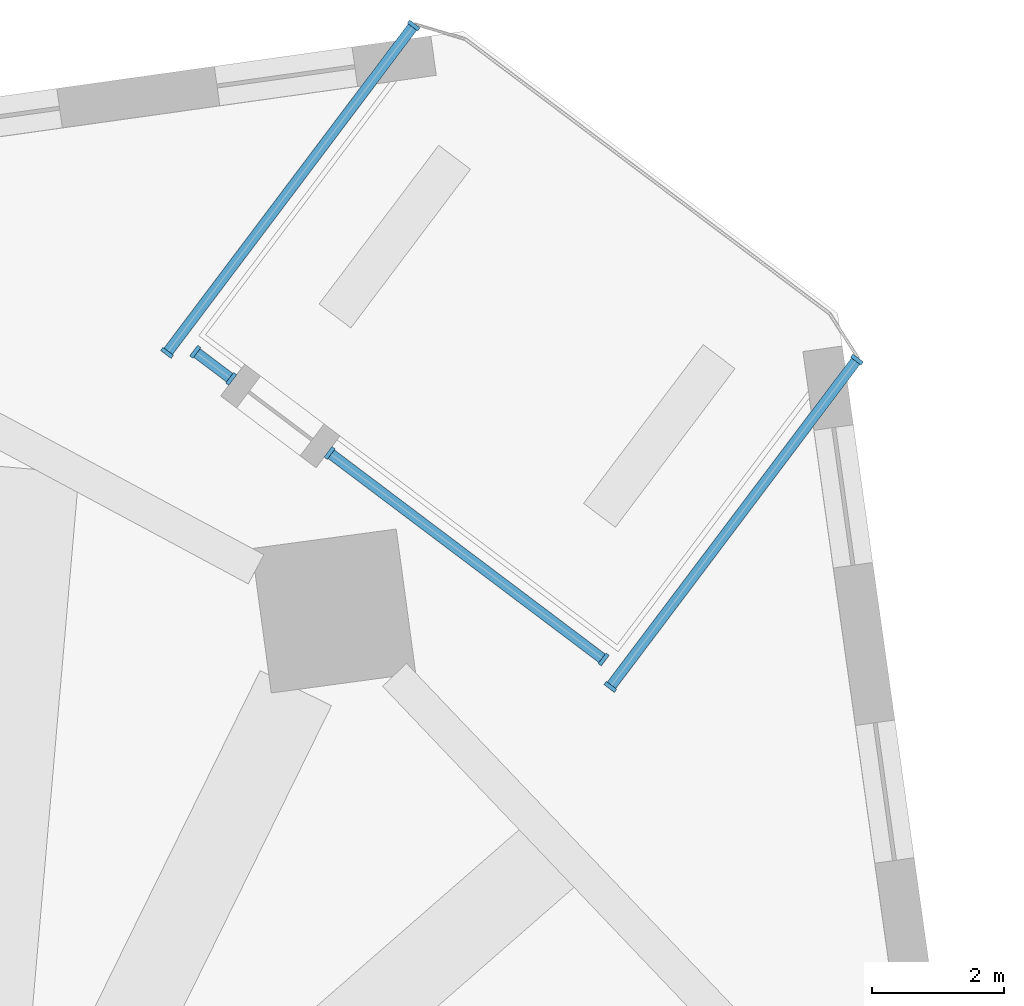
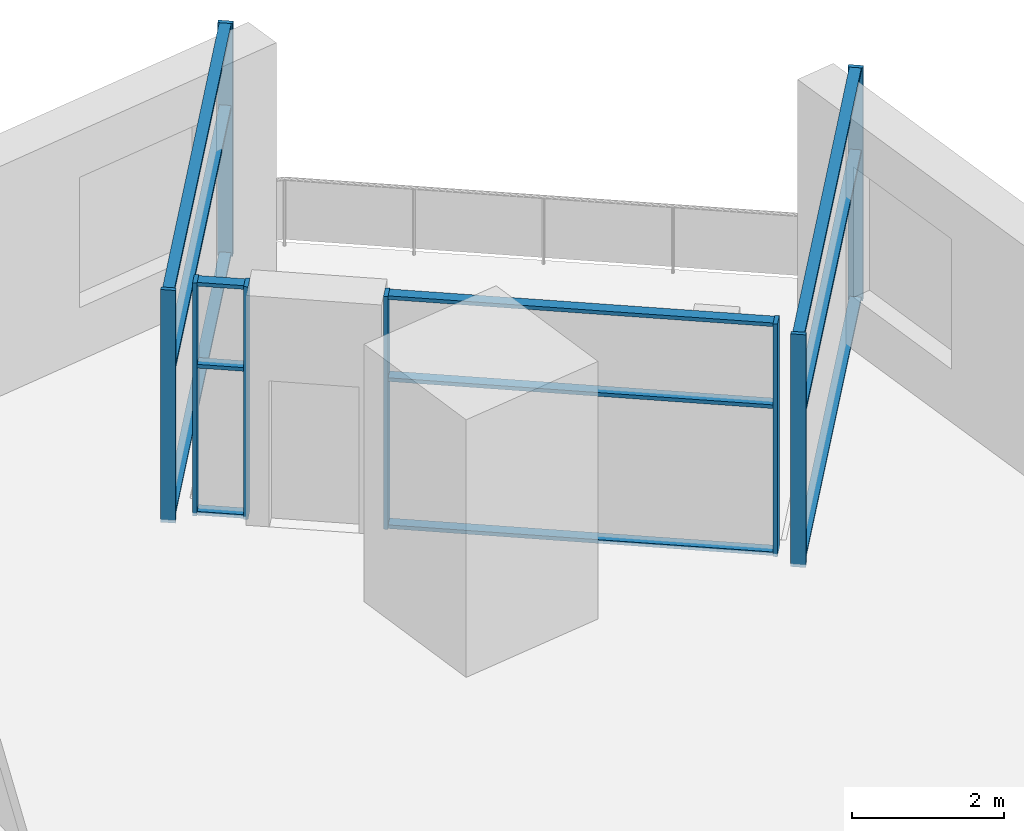
# One storey, part 2 of 12: 20 members, 4 elements without a shape of their own.
"""IFC4 building model written with IfcOpenShell, lengths in metres."""

from ifc_helpers import new_model, si_unit, direction, frame, origin, origin_2d, place, context, subcontext, project, spatial, rectangle, extrude, material, material_profile, profile_set, type_object, element, aggregate, save


model = new_model("IFC4")

# Units and contexts
model_context = context("Model", 3, precision=1e-05, world=origin(), true_north=direction((0.0, 1.0)))
body_context = subcontext(model_context, "Body", "Model", "MODEL_VIEW")
ifc_project = project(units=[si_unit("LENGTHUNIT", "METRE"), si_unit("AREAUNIT", "SQUARE_METRE"), si_unit("VOLUMEUNIT", "CUBIC_METRE"), si_unit("PLANEANGLEUNIT", "RADIAN"), si_unit("MASSUNIT", "GRAM", prefix="KILO")], contexts=[model_context])

# Site, building, storey
site_placement = place(None, origin())
site = spatial("IfcSite", under=ifc_project, at=site_placement, CompositionType="ELEMENT")
building_placement = place(site_placement, origin())
building = spatial("IfcBuilding", under=site, at=building_placement, Name="Dilmun Exchange Tower", CompositionType="ELEMENT")
storey_placement = place(building_placement, frame((0.0, 0.0, 55.5)))
storey = spatial("IfcBuildingStorey", under=building, at=storey_placement, Name="L12", CompositionType="ELEMENT", Elevation=55.5)

# Curtain wall, members
ifc_material_1 = material(Name="Anodised aluminium and clear glass", Category="aluminium")
curtain_wall_type = type_object("IfcCurtainWallType", Name="Garden corner glazing", PredefinedType="NOTDEFINED", material=ifc_material_1)
curtain_wall_1_placement = place(storey_placement, origin())
curtain_wall_1 = element("IfcCurtainWall", 1, at=curtain_wall_1_placement, inside=storey, type_object=curtain_wall_type, Name="Garden corner glazing run GC1.1", PredefinedType="NOTDEFINED")
ifc_material_2 = material(Name="Anodised aluminium", Category="aluminium")
ifc_material_profile_1 = material_profile(ifc_material_2, rectangle(XDim=0.199951171875, YDim=0.06005859375, at=origin_2d()), Name="AL 60x200")
ifc_profile_set_1 = profile_set([ifc_material_profile_1], Name="Anodised aluminium")
member_type_1 = type_object("IfcMemberType", Name="Garden corner glazing mullion 60 x 200", PredefinedType="MULLION", material=ifc_profile_set_1)
member_1_placement = place(storey_placement, frame((26.519775390625, 28.232177734375, 0.0), z_axis=(0.0, 0.0, 1.0), x_axis=(0.798633950704, -0.601817092465, 0.0)))
member_1 = element("IfcMember", 2, at=member_1_placement, type_object=member_type_1, Name="GC1.1 mullion 1", PredefinedType="MULLION", context=body_context, shape_type="SweptSolid", body=[
    extrude(rectangle(XDim=0.199951171875, YDim=0.06005859375, at=origin_2d()), origin(), (0.0, 0.0, 1.0), 3.75),
])
member_2_placement = place(storey_placement, frame((22.796875, 23.29150390625, 0.0), z_axis=(0.0, 0.0, 1.0), x_axis=(0.798633950704, -0.601817092465, 0.0)))
member_2 = element("IfcMember", 3, at=member_2_placement, type_object=member_type_1, Name="GC1.1 mullion 2", PredefinedType="MULLION", context=body_context, shape_type="SweptSolid", body=[
    extrude(rectangle(XDim=0.199951171875, YDim=0.06005859375, at=origin_2d()), origin(), (0.0, 0.0, 1.0), 3.75),
])

curtain_wall_2_placement = place(storey_placement, origin())
curtain_wall_2 = element("IfcCurtainWall", 4, at=curtain_wall_2_placement, inside=storey, type_object=curtain_wall_type, Name="Garden corner glazing run GC2.1", PredefinedType="NOTDEFINED")
member_3_placement = place(storey_placement, frame((22.695556640625, 23.705810546875, 0.0), z_axis=(0.0, 0.0, 1.0), x_axis=(-0.601821657953, -0.798630510323, 0.0)))
member_3 = element("IfcMember", 5, at=member_3_placement, type_object=member_type_1, Name="GC2.1 mullion 1", PredefinedType="MULLION", context=body_context, shape_type="SweptSolid", body=[
    extrude(rectangle(XDim=0.199951171875, YDim=0.06005859375, at=origin_2d()), origin(), (0.0, 0.0, 1.0), 3.75),
])
member_4_placement = place(storey_placement, frame((18.5595703125, 26.82275390625, 0.0), z_axis=(0.0, 0.0, 1.0), x_axis=(-0.601821657953, -0.798630510323, 0.0)))
member_4 = element("IfcMember", 6, at=member_4_placement, type_object=member_type_1, Name="GC2.1 mullion 2", PredefinedType="MULLION", context=body_context, shape_type="SweptSolid", body=[
    extrude(rectangle(XDim=0.199951171875, YDim=0.06005859375, at=origin_2d()), origin(), (0.0, 0.0, 1.0), 3.75),
])

curtain_wall_3_placement = place(storey_placement, origin())
curtain_wall_3 = element("IfcCurtainWall", 7, at=curtain_wall_3_placement, inside=storey, type_object=curtain_wall_type, Name="Garden corner glazing run GC2.3", PredefinedType="NOTDEFINED")
member_5_placement = place(storey_placement, frame((17.073974609375, 27.94189453125, 0.0), z_axis=(0.0, 0.0, 1.0), x_axis=(-0.60179521348, -0.798650437321, 0.0)))
member_5 = element("IfcMember", 8, at=member_5_placement, type_object=member_type_1, Name="GC2.3 mullion 1", PredefinedType="MULLION", context=body_context, shape_type="SweptSolid", body=[
    extrude(rectangle(XDim=0.199951171875, YDim=0.06005859375, at=origin_2d()), origin(), (0.0, 0.0, 1.0), 3.75),
])
member_6_placement = place(storey_placement, frame((16.53173828125, 28.3505859375, 0.0), z_axis=(0.0, 0.0, 1.0), x_axis=(-0.60179521348, -0.798650437321, 0.0)))
member_6 = element("IfcMember", 9, at=member_6_placement, type_object=member_type_1, Name="GC2.3 mullion 2", PredefinedType="MULLION", context=body_context, shape_type="SweptSolid", body=[
    extrude(rectangle(XDim=0.199951171875, YDim=0.06005859375, at=origin_2d()), origin(), (0.0, 0.0, 1.0), 3.75),
])

curtain_wall_4_placement = place(storey_placement, origin())
curtain_wall_4 = element("IfcCurtainWall", 10, at=curtain_wall_4_placement, inside=storey, type_object=curtain_wall_type, Name="Garden corner glazing run GC3.1", PredefinedType="NOTDEFINED")
member_7_placement = place(storey_placement, frame((16.105712890625, 28.333740234375, 0.0), z_axis=(0.0, 0.0, 1.0), x_axis=(-0.798633950704, 0.601817092465, 0.0)))
member_7 = element("IfcMember", 11, at=member_7_placement, type_object=member_type_1, Name="GC3.1 mullion 1", PredefinedType="MULLION", context=body_context, shape_type="SweptSolid", body=[
    extrude(rectangle(XDim=0.199951171875, YDim=0.06005859375, at=origin_2d()), origin(), (0.0, 0.0, 1.0), 3.75),
])
member_8_placement = place(storey_placement, frame((19.828857421875, 33.2744140625, 0.0), z_axis=(0.0, 0.0, 1.0), x_axis=(-0.798633950704, 0.601817092465, 0.0)))
member_8 = element("IfcMember", 12, at=member_8_placement, type_object=member_type_1, Name="GC3.1 mullion 2", PredefinedType="MULLION", context=body_context, shape_type="SweptSolid", body=[
    extrude(rectangle(XDim=0.199951171875, YDim=0.06005859375, at=origin_2d()), origin(), (0.0, 0.0, 1.0), 3.75),
])

# Member
ifc_material_profile_2 = material_profile(ifc_material_2, rectangle(XDim=0.159912109375, YDim=0.06005859375, at=origin_2d()), Name="AL 60x160")
ifc_profile_set_2 = profile_set([ifc_material_profile_2], Name="Anodised aluminium")
member_type_2 = type_object("IfcMemberType", Name="Garden corner glazing transom 60 x 160", PredefinedType="USERDEFINED", material=ifc_profile_set_2)
member_9_placement = place(storey_placement, frame((26.501708984375, 28.208251953125, 0.030029296875), z_axis=(-0.60181561491, -0.798635064125, 0.0), x_axis=(0.798635064125, -0.60181561491, 0.0)))
member_9 = element("IfcMember", 13, at=member_9_placement, type_object=member_type_2, Name="GC1.1 transom 1.1", ObjectType="TRANSOM", PredefinedType="USERDEFINED", context=body_context, shape_type="SweptSolid", body=[
    extrude(rectangle(XDim=0.159912109375, YDim=0.06005859375, at=origin_2d()), origin(), (0.0, 0.0, 1.0), 6.12646484375),
])

member_10_placement = place(storey_placement, frame((26.501708984375, 28.208251953125, 2.39990234375), z_axis=(-0.60181561491, -0.798635064125, 0.0), x_axis=(0.798635064125, -0.60181561491, 0.0)))
member_10 = element("IfcMember", 14, at=member_10_placement, type_object=member_type_2, Name="GC1.1 transom 1.2", ObjectType="TRANSOM", PredefinedType="USERDEFINED", context=body_context, shape_type="SweptSolid", body=[
    extrude(rectangle(XDim=0.159912109375, YDim=0.06005859375, at=origin_2d()), origin(), (0.0, 0.0, 1.0), 6.12646484375),
])

member_11_placement = place(storey_placement, frame((26.501708984375, 28.208251953125, 3.719970703125), z_axis=(-0.60181561491, -0.798635064125, 0.0), x_axis=(0.798635064125, -0.60181561491, 0.0)))
member_11 = element("IfcMember", 15, at=member_11_placement, type_object=member_type_2, Name="GC1.1 transom 1.3", ObjectType="TRANSOM", PredefinedType="USERDEFINED", context=body_context, shape_type="SweptSolid", body=[
    extrude(rectangle(XDim=0.159912109375, YDim=0.06005859375, at=origin_2d()), origin(), (0.0, 0.0, 1.0), 6.12646484375),
])

aggregate(curtain_wall_1, [member_1, member_2, member_9, member_10, member_11])

member_12_placement = place(storey_placement, frame((22.671630859375, 23.723876953125, 0.030029296875), z_axis=(-0.798618605816, 0.601837455169, 0.0), x_axis=(-0.601837455169, -0.798618605816, 0.0)))
member_12 = element("IfcMember", 16, at=member_12_placement, type_object=member_type_2, Name="GC2.1 transom 1.1", ObjectType="TRANSOM", PredefinedType="USERDEFINED", context=body_context, shape_type="SweptSolid", body=[
    extrude(rectangle(XDim=0.159912109375, YDim=0.06005859375, at=origin_2d()), origin(), (0.0, 0.0, 1.0), 5.118896484375),
])

member_13_placement = place(storey_placement, frame((22.671630859375, 23.723876953125, 2.39990234375), z_axis=(-0.798618605816, 0.601837455169, 0.0), x_axis=(-0.601837455169, -0.798618605816, 0.0)))
member_13 = element("IfcMember", 17, at=member_13_placement, type_object=member_type_2, Name="GC2.1 transom 1.2", ObjectType="TRANSOM", PredefinedType="USERDEFINED", context=body_context, shape_type="SweptSolid", body=[
    extrude(rectangle(XDim=0.159912109375, YDim=0.06005859375, at=origin_2d()), origin(), (0.0, 0.0, 1.0), 5.118896484375),
])

member_14_placement = place(storey_placement, frame((22.671630859375, 23.723876953125, 3.719970703125), z_axis=(-0.798618605816, 0.601837455169, 0.0), x_axis=(-0.601837455169, -0.798618605816, 0.0)))
member_14 = element("IfcMember", 18, at=member_14_placement, type_object=member_type_2, Name="GC2.1 transom 1.3", ObjectType="TRANSOM", PredefinedType="USERDEFINED", context=body_context, shape_type="SweptSolid", body=[
    extrude(rectangle(XDim=0.159912109375, YDim=0.06005859375, at=origin_2d()), origin(), (0.0, 0.0, 1.0), 5.118896484375),
])

aggregate(curtain_wall_2, [member_3, member_4, member_12, member_13, member_14])

member_15_placement = place(storey_placement, frame((17.050048828125, 27.9599609375, 0.030029296875), z_axis=(-0.798625454446, 0.601828367153, 0.0), x_axis=(-0.601828367153, -0.798625454446, 0.0)))
member_15 = element("IfcMember", 19, at=member_15_placement, type_object=member_type_2, Name="GC2.3 transom 1.1", ObjectType="TRANSOM", PredefinedType="USERDEFINED", context=body_context, shape_type="SweptSolid", body=[
    extrude(rectangle(XDim=0.159912109375, YDim=0.06005859375, at=origin_2d()), origin(), (0.0, 0.0, 1.0), 0.619140625),
])

member_16_placement = place(storey_placement, frame((17.050048828125, 27.9599609375, 2.39990234375), z_axis=(-0.798625454446, 0.601828367153, 0.0), x_axis=(-0.601828367153, -0.798625454446, 0.0)))
member_16 = element("IfcMember", 20, at=member_16_placement, type_object=member_type_2, Name="GC2.3 transom 1.2", ObjectType="TRANSOM", PredefinedType="USERDEFINED", context=body_context, shape_type="SweptSolid", body=[
    extrude(rectangle(XDim=0.159912109375, YDim=0.06005859375, at=origin_2d()), origin(), (0.0, 0.0, 1.0), 0.619140625),
])

member_17_placement = place(storey_placement, frame((17.050048828125, 27.9599609375, 3.719970703125), z_axis=(-0.798625454446, 0.601828367153, 0.0), x_axis=(-0.601828367153, -0.798625454446, 0.0)))
member_17 = element("IfcMember", 21, at=member_17_placement, type_object=member_type_2, Name="GC2.3 transom 1.3", ObjectType="TRANSOM", PredefinedType="USERDEFINED", context=body_context, shape_type="SweptSolid", body=[
    extrude(rectangle(XDim=0.159912109375, YDim=0.06005859375, at=origin_2d()), origin(), (0.0, 0.0, 1.0), 0.619140625),
])

aggregate(curtain_wall_3, [member_5, member_6, member_15, member_16, member_17])

member_18_placement = place(storey_placement, frame((16.123779296875, 28.357666015625, 0.030029296875), z_axis=(0.60181561491, 0.798635064125, 0.0), x_axis=(-0.798635064125, 0.60181561491, 0.0)))
member_18 = element("IfcMember", 22, at=member_18_placement, type_object=member_type_2, Name="GC3.1 transom 1.1", ObjectType="TRANSOM", PredefinedType="USERDEFINED", context=body_context, shape_type="SweptSolid", body=[
    extrude(rectangle(XDim=0.159912109375, YDim=0.06005859375, at=origin_2d()), origin(), (0.0, 0.0, 1.0), 6.12646484375),
])

member_19_placement = place(storey_placement, frame((16.123779296875, 28.357666015625, 2.39990234375), z_axis=(0.60181561491, 0.798635064125, 0.0), x_axis=(-0.798635064125, 0.60181561491, 0.0)))
member_19 = element("IfcMember", 23, at=member_19_placement, type_object=member_type_2, Name="GC3.1 transom 1.2", ObjectType="TRANSOM", PredefinedType="USERDEFINED", context=body_context, shape_type="SweptSolid", body=[
    extrude(rectangle(XDim=0.159912109375, YDim=0.06005859375, at=origin_2d()), origin(), (0.0, 0.0, 1.0), 6.12646484375),
])

member_20_placement = place(storey_placement, frame((16.123779296875, 28.357666015625, 3.719970703125), z_axis=(0.60181561491, 0.798635064125, 0.0), x_axis=(-0.798635064125, 0.60181561491, 0.0)))
member_20 = element("IfcMember", 24, at=member_20_placement, type_object=member_type_2, Name="GC3.1 transom 1.3", ObjectType="TRANSOM", PredefinedType="USERDEFINED", context=body_context, shape_type="SweptSolid", body=[
    extrude(rectangle(XDim=0.159912109375, YDim=0.06005859375, at=origin_2d()), origin(), (0.0, 0.0, 1.0), 6.12646484375),
])

aggregate(curtain_wall_4, [member_7, member_8, member_18, member_19, member_20])

save(model, "model.ifc")
